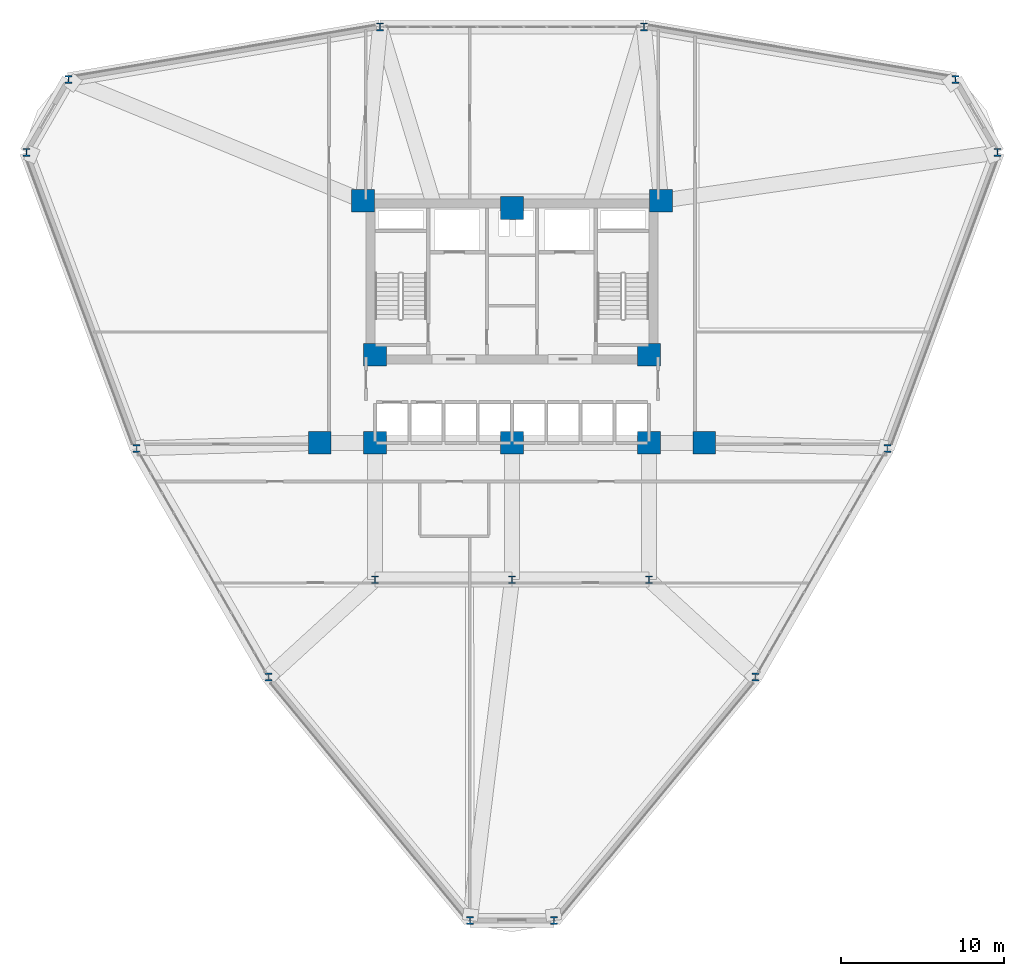
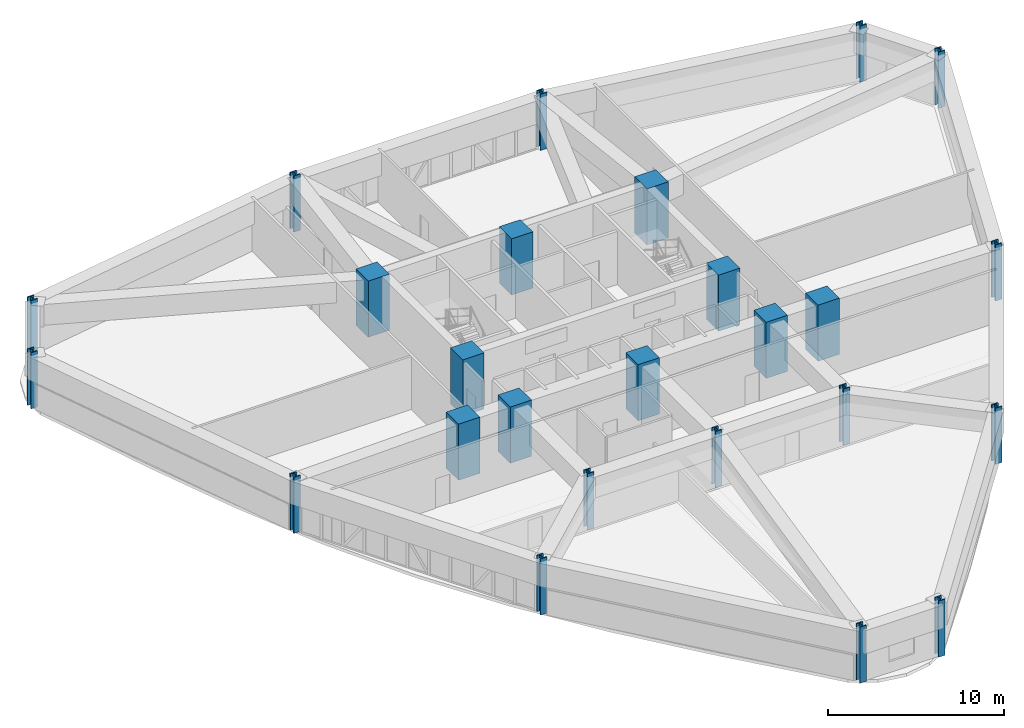
# One storey, part 1 of 20: 25 columns.
"""IFC4 building model written with IfcOpenShell, lengths in metres."""

from ifc_helpers import new_model, si_unit, derived_unit, direction, frame, origin, origin_2d, place, context, subcontext, project, spatial, rectangle, i_section, extrude, source, transform, mapped, material, material_profile, profile_set, type_object, element, save


model = new_model("IFC4")

# Units and contexts
model_context = context("Model", 3, precision=1e-05, world=origin(), true_north=direction((0.0, 1.0)))
body_context = subcontext(model_context, "Body", "Model", "MODEL_VIEW")
ifc_project = project(units=[si_unit("LENGTHUNIT", "METRE"), si_unit("AREAUNIT", "SQUARE_METRE"), si_unit("VOLUMEUNIT", "CUBIC_METRE"), si_unit("PLANEANGLEUNIT", "RADIAN"), si_unit("MASSUNIT", "GRAM", prefix="KILO"), derived_unit("THERMALTRANSMITTANCEUNIT", [(si_unit("POWERUNIT", "WATT"), 1), (si_unit("LENGTHUNIT", "METRE"), -2), (si_unit("THERMODYNAMICTEMPERATUREUNIT", "KELVIN"), -1)])], contexts=[model_context])

# Site, building, storey
site_placement = place(None, origin())
site = spatial("IfcSite", under=ifc_project, at=site_placement, CompositionType="ELEMENT")
building_placement = place(site_placement, origin())
building = spatial("IfcBuilding", under=site, at=building_placement, Name="Korsvarv Bourse and Concert Hall", CompositionType="ELEMENT")
storey_placement = place(building_placement, frame((0.0, 0.0, 31.800048828125)))
storey = spatial("IfcBuildingStorey", under=building, at=storey_placement, Name="L07", CompositionType="ELEMENT", Elevation=31.800048828125)

# Columns
ifc_material_1 = material(Name="Concrete C60/75", Category="concrete")
ifc_material_profile_1 = material_profile(ifc_material_1, rectangle(XDim=1.39990234375, YDim=1.39990234375, at=origin_2d()), Name="RC 1400x1400")
ifc_profile_set_1 = profile_set([ifc_material_profile_1], Name="Concrete C60/75")
column_type_1 = type_object("IfcColumnType", Name="COL-RC1400", PredefinedType="COLUMN", material=ifc_profile_set_1)
shared_shape_1 = source(origin(), body_context, "Body", "SweptSolid", [
    extrude(rectangle(XDim=1.39990234375, YDim=1.39990234375, at=origin_2d()), origin(), (0.0, 0.0, 1.0), 3.89990234375),
])
for number, where, z_axis, x_axis, name in (
    (1, (26.85009765625, 47.25, 0.0), (0.0, 0.0, 1.0), (1.0, 0.0, 0.0), "L07 column C-01"),
    (2, (45.14990234375, 47.25, 0.0), (0.0, 0.0, 1.0), (1.0, 0.0, 0.0), "L07 column C-01"),
    (3, (27.60009765625, 37.800048828125, 0.0), (0.0, 0.0, 1.0), (1.0, 0.0, 0.0), "L07 column C-01"),
    (4, (44.39990234375, 37.800048828125, 0.0), (0.0, 0.0, 1.0), (1.0, 0.0, 0.0), "L07 column C-01"),
    (5, (27.60009765625, 32.39990234375, 0.0), (0.0, 0.0, 1.0), (1.0, 0.0, 0.0), "L07 column C-01"),
    (6, (44.39990234375, 32.39990234375, 0.0), (0.0, 0.0, 1.0), (1.0, 0.0, 0.0), "L07 column C-01"),
    (7, (36.0, 46.800048828125, 0.0), (0.0, 0.0, 1.0), (1.0, 0.0, 0.0), "L07 column C-01"),
    (8, (36.0, 32.39990234375, 0.0), (0.0, 0.0, 1.0), (1.0, 0.0, 0.0), "L07 column C-01"),
    (9, (24.199951171875, 32.39990234375, 0.0), (0.0, 0.0, 1.0), (1.0, 0.0, 0.0), "L07 column C-01"),
    (10, (47.800048828125, 32.39990234375, 0.0), (0.0, 0.0, 1.0), (1.0, 0.0, 0.0), "L07 column C-01"),
):
    element("IfcColumn", number, at=place(storey_placement, frame(where, z_axis=z_axis, x_axis=x_axis)), inside=storey, type_object=column_type_1, Name=name, PredefinedType="COLUMN", context=body_context, shape_type="MappedRepresentation", body=[
        mapped(shared_shape_1, transform((0.0, 0.0, 0.0), scale=1.0)),
    ])
ifc_material_2 = material(Name="Steel S460", Category="steel")
ifc_material_profile_2 = material_profile(ifc_material_2, i_section(OverallWidth=0.424072265625, OverallDepth=0.47412109375, WebThickness=0.044921875, FlangeThickness=0.072021484375, FilletRadius=0.014892578125, at=origin_2d()), Name="HD 400x634")
ifc_profile_set_2 = profile_set([ifc_material_profile_2], Name="Steel S460")
column_type_2 = type_object("IfcColumnType", Name="COL-HD634", PredefinedType="COLUMN", material=ifc_profile_set_2)
shared_shape_2 = source(origin(), body_context, "Body", "SweptSolid", [
    extrude(i_section(OverallWidth=0.424072265625, OverallDepth=0.47412109375, WebThickness=0.044921875, FlangeThickness=0.072021484375, FilletRadius=0.014892578125, at=origin_2d()), origin(), (0.0, 0.0, 1.0), 3.89990234375),
])
for number, where, z_axis, x_axis, name in (
    (11, (27.60009765625, 24.0, 0.0), (0.0, 0.0, 1.0), (1.0, 0.0, 0.0), "L07 column C-07"),
    (12, (44.39990234375, 24.0, 0.0), (0.0, 0.0, 1.0), (1.0, 0.0, 0.0), "L07 column C-07"),
    (13, (36.0, 24.0, 0.0), (0.0, 0.0, 1.0), (1.0, 0.0, 0.0), "L07 column C-07"),
    (14, (65.78857421875, 50.21728515625, 0.0), (0.0, 0.0, 1.0), (1.0, 0.0, 0.0), "L07 column C-07"),
    (15, (63.206787109375, 54.689208984375, 0.0), (0.0, 0.0, 1.0), (1.0, 0.0, 0.0), "L07 column C-07"),
    (16, (44.097412109375, 57.9169921875, 0.0), (0.0, 0.0, 1.0), (1.0, 0.0, 0.0), "L07 column C-07"),
    (17, (27.902587890625, 57.9169921875, 0.0), (0.0, 0.0, 1.0), (1.0, 0.0, 0.0), "L07 column C-07"),
    (18, (8.793212890625, 54.689208984375, 0.0), (0.0, 0.0, 1.0), (1.0, 0.0, 0.0), "L07 column C-07"),
    (19, (6.21142578125, 50.21728515625, 0.0), (0.0, 0.0, 1.0), (1.0, 0.0, 0.0), "L07 column C-07"),
    (20, (12.970458984375, 32.05419921875, 0.0), (0.0, 0.0, 1.0), (1.0, 0.0, 0.0), "L07 column C-07"),
    (21, (21.06787109375, 18.02880859375, 0.0), (0.0, 0.0, 1.0), (1.0, 0.0, 0.0), "L07 column C-07"),
    (22, (33.418212890625, 3.09375, 0.0), (0.0, 0.0, 1.0), (1.0, 0.0, 0.0), "L07 column C-07"),
    (23, (38.581787109375, 3.09375, 0.0), (0.0, 0.0, 1.0), (1.0, 0.0, 0.0), "L07 column C-07"),
    (24, (50.93212890625, 18.02880859375, 0.0), (0.0, 0.0, 1.0), (1.0, 0.0, 0.0), "L07 column C-07"),
    (25, (59.029541015625, 32.05419921875, 0.0), (0.0, 0.0, 1.0), (1.0, 0.0, 0.0), "L07 column C-07"),
):
    element("IfcColumn", number, at=place(storey_placement, frame(where, z_axis=z_axis, x_axis=x_axis)), inside=storey, type_object=column_type_2, Name=name, PredefinedType="COLUMN", context=body_context, shape_type="MappedRepresentation", body=[
        mapped(shared_shape_2, transform((0.0, 0.0, 0.0), scale=1.0)),
    ])

save(model, "model.ifc")
